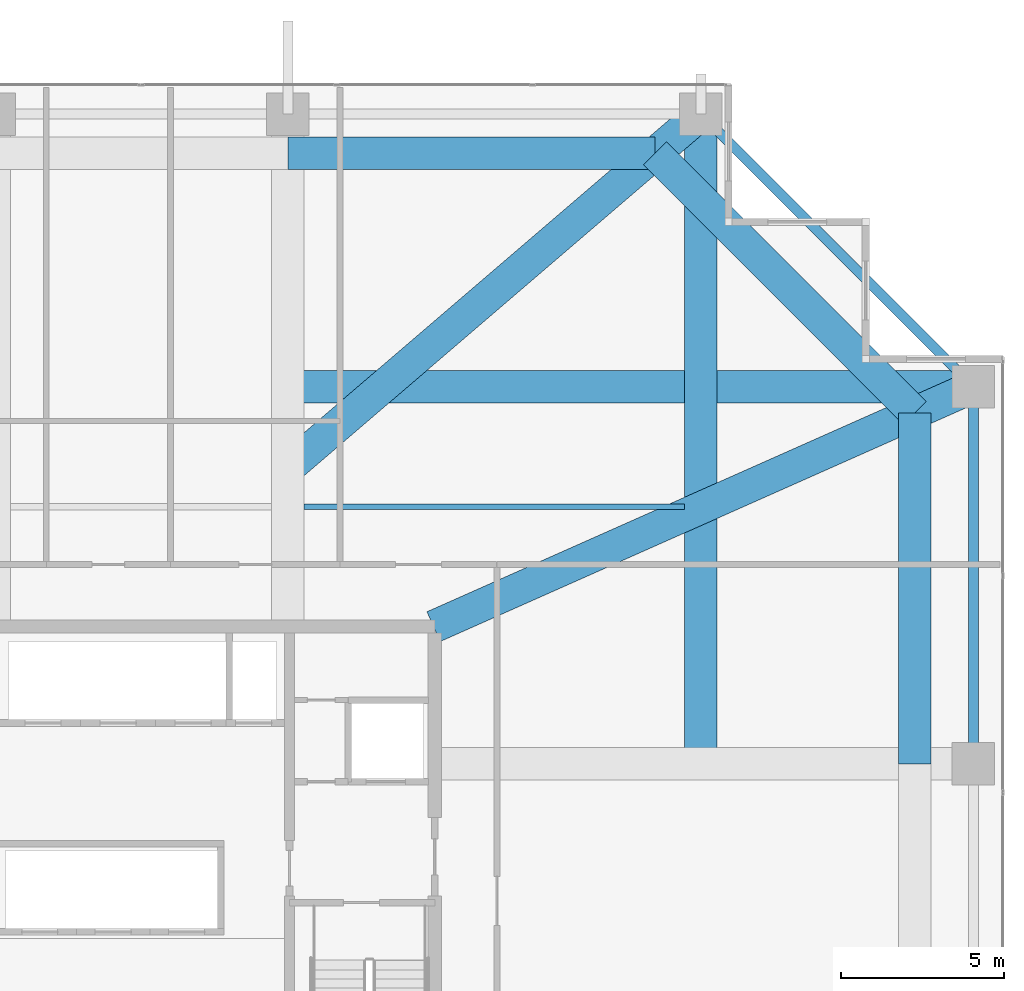
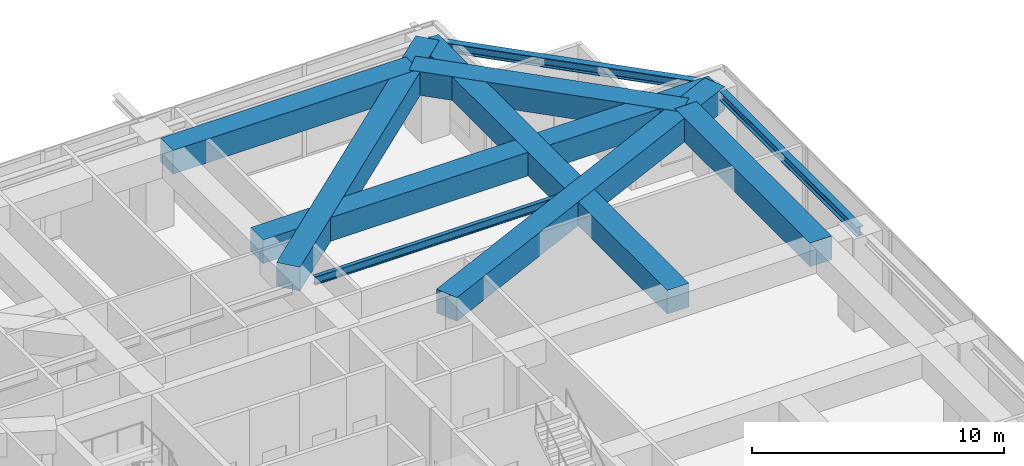
# One storey, part 24 of 35: 10 beams.
"""IFC4 building model written with IfcOpenShell, lengths in metres."""

from ifc_helpers import new_model, si_unit, direction, frame, origin, origin_2d, place, context, subcontext, project, spatial, rectangle, i_section, extrude, source, transform, mapped, material, material_profile, profile_set, type_object, element, save


model = new_model("IFC4")

# Units and contexts
model_context = context("Model", 3, precision=1e-05, world=origin(), true_north=direction((0.0, 1.0)))
body_context = subcontext(model_context, "Body", "Model", "MODEL_VIEW")
ifc_project = project(units=[si_unit("LENGTHUNIT", "METRE"), si_unit("AREAUNIT", "SQUARE_METRE"), si_unit("VOLUMEUNIT", "CUBIC_METRE"), si_unit("PLANEANGLEUNIT", "RADIAN"), si_unit("MASSUNIT", "GRAM", prefix="KILO")], contexts=[model_context])

# Site, building, storey
site_placement = place(None, origin())
site = spatial("IfcSite", under=ifc_project, at=site_placement, CompositionType="ELEMENT")
building_placement = place(site_placement, origin())
building = spatial("IfcBuilding", under=site, at=building_placement, Name="Serunith Strait Residences", CompositionType="ELEMENT")
storey_placement = place(building_placement, frame((0.0, 0.0, 115.199951171875)))
storey = spatial("IfcBuildingStorey", under=building, at=storey_placement, Name="L28", CompositionType="ELEMENT", Elevation=115.199951171875)

# Beams
ifc_material_1 = material(Name="Concrete C80/95", Category="concrete")
ifc_material_profile_1 = material_profile(ifc_material_1, rectangle(XDim=1.0, YDim=1.14990234375, at=origin_2d()), Name="RC 1000x1150")
ifc_profile_set_1 = profile_set([ifc_material_profile_1], Name="Concrete C80/95")
beam_type_1 = type_object("IfcBeamType", Name="BM-XFER-1000x1150", PredefinedType="BEAM", material=ifc_profile_set_1)
shared_shape_1 = source(origin(), body_context, "Body", "SweptSolid", [
    extrude(rectangle(XDim=1.0, YDim=1.14990234375, at=origin_2d()), origin(), (0.0, 0.0, 1.0), 19.900146484375),
])
beam_1_placement = place(storey_placement, frame((49.550048828125, 29.39990234375, 3.93505859375), z_axis=(0.0, 1.0, 0.0), x_axis=(-1.0, 0.0, 0.0)))
element("IfcBeam", 1, at=beam_1_placement, inside=storey, type_object=beam_type_1, Name="L28 Orthogonal Corner Girder TC-N4", PredefinedType="BEAM", context=body_context, shape_type="MappedRepresentation", body=[
    mapped(shared_shape_1, transform((0.0, 0.0, 0.0), scale=1.0)),
])
shared_shape_2 = source(origin(), body_context, "Body", "SweptSolid", [
    extrude(rectangle(XDim=1.0, YDim=1.14990234375, at=origin_2d()), origin(), (0.0, 0.0, 1.0), 21.0),
])
beam_2_placement = place(storey_placement, frame((36.89990234375, 40.949951171875, 3.93505859375), z_axis=(1.0, 0.0, 0.0), x_axis=(0.0, 1.0, 0.0)))
element("IfcBeam", 2, at=beam_2_placement, inside=storey, type_object=beam_type_1, Name="L28 Orthogonal Corner Girder TC-E4", PredefinedType="BEAM", context=body_context, shape_type="MappedRepresentation", body=[
    mapped(shared_shape_2, transform((0.0, 0.0, 0.0), scale=1.0)),
])
shared_shape_3 = source(origin(), body_context, "Body", "SweptSolid", [
    extrude(rectangle(XDim=1.0, YDim=1.14990234375, at=origin_2d()), origin(), (0.0, 0.0, 1.0), 16.6611328125),
])
beam_3_placement = place(storey_placement, frame((49.550048828125, 49.300048828125, 3.93505859375), z_axis=(-0.759255568021, -0.650792580189, 0.0), x_axis=(0.650792580189, -0.759255568021, 0.0)))
element("IfcBeam", 3, at=beam_3_placement, inside=storey, type_object=beam_type_1, Name="L28 Diagonal Corner Transfer Girder TC-N4", PredefinedType="BEAM", context=body_context, shape_type="MappedRepresentation", body=[
    mapped(shared_shape_3, transform((0.0, 0.0, 0.0), scale=1.0)),
])
shared_shape_4 = source(origin(), body_context, "Body", "SweptSolid", [
    extrude(rectangle(XDim=1.0, YDim=1.14990234375, at=origin_2d()), origin(), (0.0, 0.0, 1.0), 18.09716796875),
])
beam_4_placement = place(storey_placement, frame((57.89990234375, 40.949951171875, 3.93505859375), z_axis=(-0.913813217554, -0.406134710933, 0.0), x_axis=(0.406134710933, -0.913813217554, 0.0)))
element("IfcBeam", 4, at=beam_4_placement, inside=storey, type_object=beam_type_1, Name="L28 Diagonal Corner Transfer Girder TC-E4", PredefinedType="BEAM", context=body_context, shape_type="MappedRepresentation", body=[
    mapped(shared_shape_4, transform((0.0, 0.0, 0.0), scale=1.0)),
])
ifc_material_2 = material(Name="Steel S355J2", Category="steel")
ifc_material_profile_2 = material_profile(ifc_material_2, i_section(OverallWidth=0.300048828125, OverallDepth=0.449951171875, WebThickness=0.013916015625, FlangeThickness=0.02587890625, FilletRadius=0.027099609375, at=origin_2d()), Name="HEB 450")
ifc_profile_set_2 = profile_set([ifc_material_profile_2], Name="Steel S355J2")
beam_type_2 = type_object("IfcBeamType", Name="BM-HEB450", PredefinedType="BEAM", material=ifc_profile_set_2)
shared_shape_5 = source(origin(), body_context, "Body", "SweptSolid", [
    extrude(i_section(OverallWidth=0.300048828125, OverallDepth=0.449951171875, WebThickness=0.013916015625, FlangeThickness=0.02587890625, FilletRadius=0.027099609375, at=origin_2d()), origin(), (0.0, 0.0, 1.0), 11.80859375),
])
beam_5_placement = place(storey_placement, frame((57.89990234375, 40.949951171875, 4.281982421875), z_axis=(-0.707096443746, 0.707117118476, 0.0), x_axis=(-0.707117118476, -0.707096443746, 0.0)))
element("IfcBeam", 5, at=beam_5_placement, inside=storey, type_object=beam_type_2, Name="L28 Perimeter Ring Beam 08", PredefinedType="BEAM", context=body_context, shape_type="MappedRepresentation", body=[
    mapped(shared_shape_5, transform((0.0, 0.0, 0.0), scale=1.0)),
])
shared_shape_6 = source(origin(), body_context, "Body", "SweptSolid", [
    extrude(i_section(OverallWidth=0.300048828125, OverallDepth=0.449951171875, WebThickness=0.013916015625, FlangeThickness=0.02587890625, FilletRadius=0.027099609375, at=origin_2d()), origin(), (0.0, 0.0, 1.0), 11.550048828125),
])
beam_6_placement = place(storey_placement, frame((57.89990234375, 29.39990234375, 4.281982421875), z_axis=(0.0, 1.0, 0.0), x_axis=(-1.0, 0.0, 0.0)))
element("IfcBeam", 6, at=beam_6_placement, inside=storey, type_object=beam_type_2, Name="L28 Perimeter Ring Beam 07", PredefinedType="BEAM", context=body_context, shape_type="MappedRepresentation", body=[
    mapped(shared_shape_6, transform((0.0, 0.0, 0.0), scale=1.0)),
])
shared_shape_7 = source(origin(), body_context, "Body", "SweptSolid", [
    extrude(rectangle(XDim=1.0, YDim=1.14990234375, at=origin_2d()), origin(), (0.0, 0.0, 1.0), 11.25),
])
beam_7_placement = place(storey_placement, frame((48.14990234375, 48.10009765625, 3.93505859375), z_axis=(-1.0, 0.0, 0.0), x_axis=(0.0, -1.0, 0.0)))
element("IfcBeam", 7, at=beam_7_placement, inside=storey, type_object=beam_type_1, Name="L28 Flare Upper Ring Transfer Girder 09", PredefinedType="BEAM", context=body_context, shape_type="MappedRepresentation", body=[
    mapped(shared_shape_7, transform((0.0, 0.0, 0.0), scale=1.0)),
])
shared_shape_8 = source(origin(), body_context, "Body", "SweptSolid", [
    extrude(rectangle(XDim=1.0, YDim=1.14990234375, at=origin_2d()), origin(), (0.0, 0.0, 1.0), 11.2431640625),
])
beam_8_placement = place(storey_placement, frame((56.10009765625, 40.14990234375, 3.93505859375), z_axis=(-0.707106781187, 0.707106781187, 0.0), x_axis=(-0.707106781187, -0.707106781187, 0.0)))
element("IfcBeam", 8, at=beam_8_placement, inside=storey, type_object=beam_type_1, Name="L28 Flare Upper Ring Transfer Girder 08", PredefinedType="BEAM", context=body_context, shape_type="MappedRepresentation", body=[
    mapped(shared_shape_8, transform((0.0, 0.0, 0.0), scale=1.0)),
])
shared_shape_9 = source(origin(), body_context, "Body", "SweptSolid", [
    extrude(rectangle(XDim=1.0, YDim=1.14990234375, at=origin_2d()), origin(), (0.0, 0.0, 1.0), 10.75),
])
beam_9_placement = place(storey_placement, frame((56.10009765625, 29.39990234375, 3.93505859375), z_axis=(0.0, 1.0, 0.0), x_axis=(-1.0, 0.0, 0.0)))
element("IfcBeam", 9, at=beam_9_placement, inside=storey, type_object=beam_type_1, Name="L28 Flare Upper Ring Transfer Girder 07", PredefinedType="BEAM", context=body_context, shape_type="MappedRepresentation", body=[
    mapped(shared_shape_9, transform((0.0, 0.0, 0.0), scale=1.0)),
])
ifc_material_profile_3 = material_profile(ifc_material_2, i_section(OverallWidth=0.179931640625, OverallDepth=0.39990234375, WebThickness=0.008544921875, FlangeThickness=0.013427734375, FilletRadius=0.02099609375, at=origin_2d()), Name="IPE 400")
ifc_profile_set_3 = profile_set([ifc_material_profile_3], Name="Steel S355J2")
beam_type_3 = type_object("IfcBeamType", Name="BM-IPE400", PredefinedType="JOIST", material=ifc_profile_set_3)
shared_shape_10 = source(origin(), body_context, "Body", "SweptSolid", [
    extrude(i_section(OverallWidth=0.179931640625, OverallDepth=0.39990234375, WebThickness=0.008544921875, FlangeThickness=0.013427734375, FilletRadius=0.02099609375, at=origin_2d()), origin(), (0.0, 0.0, 1.0), 11.650146484375),
])
beam_10_placement = place(storey_placement, frame((37.39990234375, 37.27490234375, 4.30712890625), z_axis=(1.0, 0.0, 0.0), x_axis=(0.0, 1.0, 0.0)))
element("IfcBeam", 10, at=beam_10_placement, inside=storey, type_object=beam_type_3, Name="L28 Composite Floor Joist 06", PredefinedType="JOIST", context=body_context, shape_type="MappedRepresentation", body=[
    mapped(shared_shape_10, transform((0.0, 0.0, 0.0), scale=1.0)),
])

save(model, "model.ifc")
